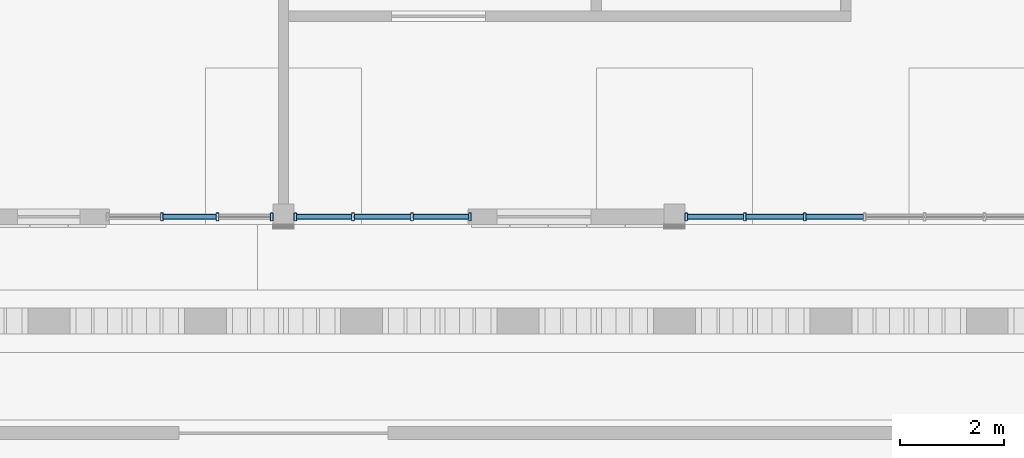
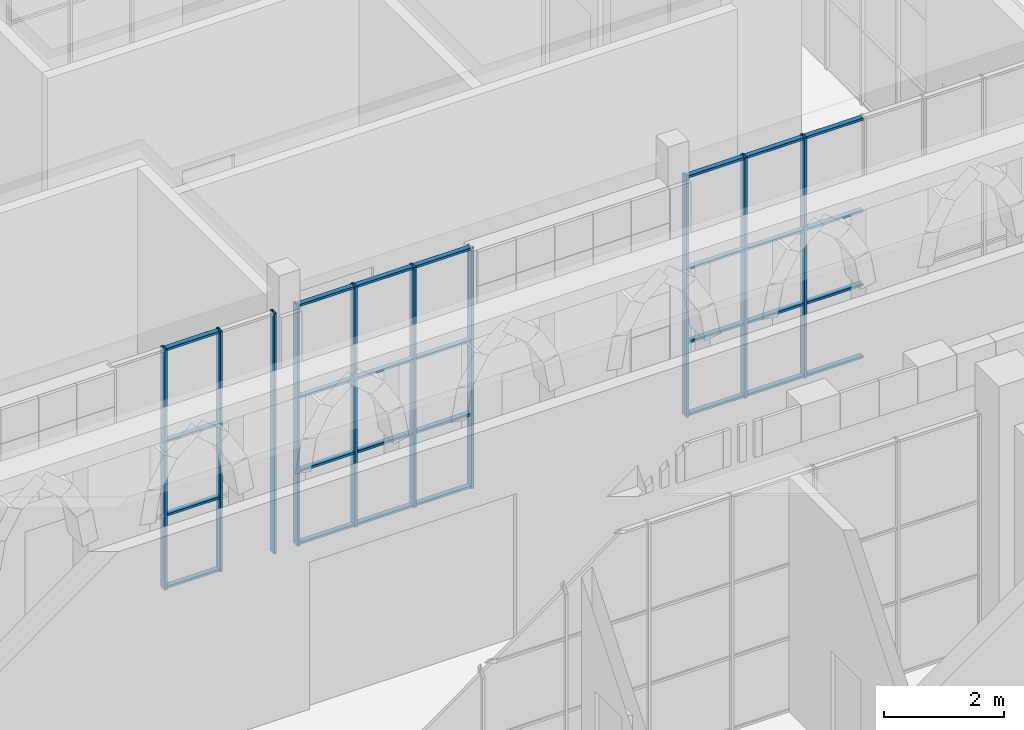
# One storey, part 20 of 125: 38 members, 3 elements without a shape of their own.
"""IFC4 building model written with IfcOpenShell, lengths in metres."""

from ifc_helpers import new_model, si_unit, direction, frame, origin, origin_2d, place, context, subcontext, project, spatial, hollow_rectangle, extrude, material, material_profile, profile_set, type_object, element, aggregate, save


model = new_model("IFC4")

# Units and contexts
model_context = context("Model", 3, precision=1e-05, world=origin(), true_north=direction((0.0, 1.0)))
body_context = subcontext(model_context, "Body", "Model", "MODEL_VIEW")
ifc_project = project(units=[si_unit("LENGTHUNIT", "METRE"), si_unit("AREAUNIT", "SQUARE_METRE"), si_unit("VOLUMEUNIT", "CUBIC_METRE"), si_unit("PLANEANGLEUNIT", "RADIAN"), si_unit("MASSUNIT", "GRAM", prefix="KILO")], contexts=[model_context])

# Site, building, storey
site_placement = place(None, origin())
site = spatial("IfcSite", under=ifc_project, at=site_placement, CompositionType="ELEMENT")
building_placement = place(site_placement, origin())
building = spatial("IfcBuilding", under=site, at=building_placement, Name="Sun Court Science Centre", CompositionType="ELEMENT")
storey_placement = place(building_placement, origin())
storey = spatial("IfcBuildingStorey", under=building, at=storey_placement, Name="L00", CompositionType="ELEMENT", Elevation=0.0)

# Curtain wall, members
ifc_material_1 = material(Name="Aluminium EN AW-6063 T6", Category="aluminium")
curtain_wall_type = type_object("IfcCurtainWallType", Name="Pavilion curtain wall 1200", PredefinedType="NOTDEFINED", material=ifc_material_1)
curtain_wall_1_placement = place(storey_placement, origin())
curtain_wall_1 = element("IfcCurtainWall", 1, at=curtain_wall_1_placement, inside=storey, type_object=curtain_wall_type, Name="Curtain wall V5 S L00 01", PredefinedType="NOTDEFINED")
ifc_material_2 = material(Name="Aluminium EN AW-6063 T6", Category="aluminium")
ifc_material_profile_1 = material_profile(ifc_material_2, hollow_rectangle(XDim=0.050048828125, YDim=0.14990234375, WallThickness=0.00390625, InnerFilletRadius=0.00390625, OuterFilletRadius=0.006103515625, at=origin_2d()), Name="AL 50x150x4")
ifc_profile_set_1 = profile_set([ifc_material_profile_1], Name="Aluminium EN AW-6063 T6")
member_type_1 = type_object("IfcMemberType", Name="Curtain wall mullion AL 50x150", PredefinedType="MULLION", material=ifc_profile_set_1)
member_1_placement = place(storey_placement, frame((58.72509765625, 36.14990234375, 0.0), z_axis=(0.0, 0.0, 1.0), x_axis=(-1.0, 0.0, 0.0)))
member_1 = element("IfcMember", 2, at=member_1_placement, type_object=member_type_1, Name="CW3-01 mullion 7", PredefinedType="MULLION", context=body_context, shape_type="SweptSolid", body=[
    extrude(hollow_rectangle(XDim=0.050048828125, YDim=0.14990234375, WallThickness=0.00390625, InnerFilletRadius=0.00390625, OuterFilletRadius=0.006103515625, at=origin_2d()), origin(), (0.0, 0.0, 1.0), 4.89990234375),
])
member_2_placement = place(storey_placement, frame((59.85009765625, 36.14990234375, 0.0), z_axis=(0.0, 0.0, 1.0), x_axis=(-1.0, 0.0, 0.0)))
member_2 = element("IfcMember", 3, at=member_2_placement, type_object=member_type_1, Name="CW3-01 mullion 6", PredefinedType="MULLION", context=body_context, shape_type="SweptSolid", body=[
    extrude(hollow_rectangle(XDim=0.050048828125, YDim=0.14990234375, WallThickness=0.00390625, InnerFilletRadius=0.00390625, OuterFilletRadius=0.006103515625, at=origin_2d()), origin(), (0.0, 0.0, 1.0), 4.89990234375),
])
member_3_placement = place(storey_placement, frame((61.0, 36.14990234375, 0.0), z_axis=(0.0, 0.0, 1.0), x_axis=(-1.0, 0.0, 0.0)))
member_3 = element("IfcMember", 4, at=member_3_placement, type_object=member_type_1, Name="CW3-01 mullion 5", PredefinedType="MULLION", context=body_context, shape_type="SweptSolid", body=[
    extrude(hollow_rectangle(XDim=0.050048828125, YDim=0.14990234375, WallThickness=0.00390625, InnerFilletRadius=0.00390625, OuterFilletRadius=0.006103515625, at=origin_2d()), origin(), (0.0, 0.0, 1.0), 4.89990234375),
])

curtain_wall_2_placement = place(storey_placement, origin())
curtain_wall_2 = element("IfcCurtainWall", 5, at=curtain_wall_2_placement, inside=storey, type_object=curtain_wall_type, Name="Curtain wall V5 S L00 02", PredefinedType="NOTDEFINED")
member_4_placement = place(storey_placement, frame((51.22509765625, 36.14990234375, 0.0), z_axis=(0.0, 0.0, 1.0), x_axis=(-1.0, 0.0, 0.0)))
member_4 = element("IfcMember", 6, at=member_4_placement, type_object=member_type_1, Name="CW3-02 mullion 4", PredefinedType="MULLION", context=body_context, shape_type="SweptSolid", body=[
    extrude(hollow_rectangle(XDim=0.050048828125, YDim=0.14990234375, WallThickness=0.00390625, InnerFilletRadius=0.00390625, OuterFilletRadius=0.006103515625, at=origin_2d()), origin(), (0.0, 0.0, 1.0), 4.89990234375),
])
member_5_placement = place(storey_placement, frame((52.333251953125, 36.14990234375, 0.0), z_axis=(0.0, 0.0, 1.0), x_axis=(-1.0, 0.0, 0.0)))
member_5 = element("IfcMember", 7, at=member_5_placement, type_object=member_type_1, Name="CW3-02 mullion 3", PredefinedType="MULLION", context=body_context, shape_type="SweptSolid", body=[
    extrude(hollow_rectangle(XDim=0.050048828125, YDim=0.14990234375, WallThickness=0.00390625, InnerFilletRadius=0.00390625, OuterFilletRadius=0.006103515625, at=origin_2d()), origin(), (0.0, 0.0, 1.0), 4.89990234375),
])
member_6_placement = place(storey_placement, frame((53.466552734375, 36.14990234375, 0.0), z_axis=(0.0, 0.0, 1.0), x_axis=(-1.0, 0.0, 0.0)))
member_6 = element("IfcMember", 8, at=member_6_placement, type_object=member_type_1, Name="CW3-02 mullion 2", PredefinedType="MULLION", context=body_context, shape_type="SweptSolid", body=[
    extrude(hollow_rectangle(XDim=0.050048828125, YDim=0.14990234375, WallThickness=0.00390625, InnerFilletRadius=0.00390625, OuterFilletRadius=0.006103515625, at=origin_2d()), origin(), (0.0, 0.0, 1.0), 4.89990234375),
])
member_7_placement = place(storey_placement, frame((54.574951171875, 36.14990234375, 0.0), z_axis=(0.0, 0.0, 1.0), x_axis=(-1.0, 0.0, 0.0)))
member_7 = element("IfcMember", 9, at=member_7_placement, type_object=member_type_1, Name="CW3-02 mullion 1", PredefinedType="MULLION", context=body_context, shape_type="SweptSolid", body=[
    extrude(hollow_rectangle(XDim=0.050048828125, YDim=0.14990234375, WallThickness=0.00390625, InnerFilletRadius=0.00390625, OuterFilletRadius=0.006103515625, at=origin_2d()), origin(), (0.0, 0.0, 1.0), 4.89990234375),
])

curtain_wall_3_placement = place(storey_placement, origin())
curtain_wall_3 = element("IfcCurtainWall", 10, at=curtain_wall_3_placement, inside=storey, type_object=curtain_wall_type, Name="Curtain wall V5 S L00 03", PredefinedType="NOTDEFINED")
member_8_placement = place(storey_placement, frame((48.666748046875, 36.14990234375, 0.0), z_axis=(0.0, 0.0, 1.0), x_axis=(-1.0, 0.0, 0.0)))
member_8 = element("IfcMember", 11, at=member_8_placement, type_object=member_type_1, Name="CW3-03 mullion 3", PredefinedType="MULLION", context=body_context, shape_type="SweptSolid", body=[
    extrude(hollow_rectangle(XDim=0.050048828125, YDim=0.14990234375, WallThickness=0.00390625, InnerFilletRadius=0.00390625, OuterFilletRadius=0.006103515625, at=origin_2d()), origin(), (0.0, 0.0, 1.0), 4.89990234375),
])
member_9_placement = place(storey_placement, frame((49.7333984375, 36.14990234375, 0.0), z_axis=(0.0, 0.0, 1.0), x_axis=(-1.0, 0.0, 0.0)))
member_9 = element("IfcMember", 12, at=member_9_placement, type_object=member_type_1, Name="CW3-03 mullion 2", PredefinedType="MULLION", context=body_context, shape_type="SweptSolid", body=[
    extrude(hollow_rectangle(XDim=0.050048828125, YDim=0.14990234375, WallThickness=0.00390625, InnerFilletRadius=0.00390625, OuterFilletRadius=0.006103515625, at=origin_2d()), origin(), (0.0, 0.0, 1.0), 4.89990234375),
])
member_10_placement = place(storey_placement, frame((50.77490234375, 36.14990234375, 0.0), z_axis=(0.0, 0.0, 1.0), x_axis=(-1.0, 0.0, 0.0)))
member_10 = element("IfcMember", 13, at=member_10_placement, type_object=member_type_1, Name="CW3-03 mullion 1", PredefinedType="MULLION", context=body_context, shape_type="SweptSolid", body=[
    extrude(hollow_rectangle(XDim=0.050048828125, YDim=0.14990234375, WallThickness=0.00390625, InnerFilletRadius=0.00390625, OuterFilletRadius=0.006103515625, at=origin_2d()), origin(), (0.0, 0.0, 1.0), 4.89990234375),
])

# Member
ifc_material_3 = material(Name="Aluminium EN AW-6063 T6", Category="aluminium")
ifc_material_profile_2 = material_profile(ifc_material_3, hollow_rectangle(XDim=0.050048828125, YDim=0.10009765625, WallThickness=0.00390625, InnerFilletRadius=0.00390625, OuterFilletRadius=0.006103515625, at=origin_2d()), Name="AL 50x100x4")
ifc_profile_set_2 = profile_set([ifc_material_profile_2], Name="Aluminium EN AW-6063 T6")
member_type_2 = type_object("IfcMemberType", Name="Curtain wall transom AL 50x100", PredefinedType="USERDEFINED", material=ifc_profile_set_2)
member_11_placement = place(storey_placement, frame((59.824951171875, 36.14990234375, 0.02490234375), z_axis=(-1.0, 0.0, 0.0), x_axis=(0.0, 0.0, 1.0)))
member_11 = element("IfcMember", 14, at=member_11_placement, type_object=member_type_2, Name="CW3-01 transom 6.1", ObjectType="TRANSOM", PredefinedType="USERDEFINED", context=body_context, shape_type="SweptSolid", body=[
    extrude(hollow_rectangle(XDim=0.050048828125, YDim=0.10009765625, WallThickness=0.00390625, InnerFilletRadius=0.00390625, OuterFilletRadius=0.006103515625, at=origin_2d()), origin(), (0.0, 0.0, 1.0), 1.074951171875),
])

member_12_placement = place(storey_placement, frame((60.97509765625, 36.14990234375, 0.02490234375), z_axis=(-1.0, 0.0, 0.0), x_axis=(0.0, 0.0, 1.0)))
member_12 = element("IfcMember", 15, at=member_12_placement, type_object=member_type_2, Name="CW3-01 transom 5.1", ObjectType="TRANSOM", PredefinedType="USERDEFINED", context=body_context, shape_type="SweptSolid", body=[
    extrude(hollow_rectangle(XDim=0.050048828125, YDim=0.10009765625, WallThickness=0.00390625, InnerFilletRadius=0.00390625, OuterFilletRadius=0.006103515625, at=origin_2d()), origin(), (0.0, 0.0, 1.0), 1.10009765625),
])

member_13_placement = place(storey_placement, frame((62.125, 36.14990234375, 0.02490234375), z_axis=(-1.0, 0.0, 0.0), x_axis=(0.0, 0.0, 1.0)))
member_13 = element("IfcMember", 16, at=member_13_placement, type_object=member_type_2, Name="CW3-01 transom 4.1", ObjectType="TRANSOM", PredefinedType="USERDEFINED", context=body_context, shape_type="SweptSolid", body=[
    extrude(hollow_rectangle(XDim=0.050048828125, YDim=0.10009765625, WallThickness=0.00390625, InnerFilletRadius=0.00390625, OuterFilletRadius=0.006103515625, at=origin_2d()), origin(), (0.0, 0.0, 1.0), 1.10009765625),
])

member_14_placement = place(storey_placement, frame((59.824951171875, 36.14990234375, 1.5), z_axis=(-1.0, 0.0, 0.0), x_axis=(0.0, 0.0, 1.0)))
member_14 = element("IfcMember", 17, at=member_14_placement, type_object=member_type_2, Name="CW3-01 transom 6.2", ObjectType="TRANSOM", PredefinedType="USERDEFINED", context=body_context, shape_type="SweptSolid", body=[
    extrude(hollow_rectangle(XDim=0.050048828125, YDim=0.10009765625, WallThickness=0.00390625, InnerFilletRadius=0.00390625, OuterFilletRadius=0.006103515625, at=origin_2d()), origin(), (0.0, 0.0, 1.0), 1.074951171875),
])

member_15_placement = place(storey_placement, frame((60.97509765625, 36.14990234375, 1.5), z_axis=(-1.0, 0.0, 0.0), x_axis=(0.0, 0.0, 1.0)))
member_15 = element("IfcMember", 18, at=member_15_placement, type_object=member_type_2, Name="CW3-01 transom 5.2", ObjectType="TRANSOM", PredefinedType="USERDEFINED", context=body_context, shape_type="SweptSolid", body=[
    extrude(hollow_rectangle(XDim=0.050048828125, YDim=0.10009765625, WallThickness=0.00390625, InnerFilletRadius=0.00390625, OuterFilletRadius=0.006103515625, at=origin_2d()), origin(), (0.0, 0.0, 1.0), 1.10009765625),
])

member_16_placement = place(storey_placement, frame((62.125, 36.14990234375, 1.5), z_axis=(-1.0, 0.0, 0.0), x_axis=(0.0, 0.0, 1.0)))
member_16 = element("IfcMember", 19, at=member_16_placement, type_object=member_type_2, Name="CW3-01 transom 4.2", ObjectType="TRANSOM", PredefinedType="USERDEFINED", context=body_context, shape_type="SweptSolid", body=[
    extrude(hollow_rectangle(XDim=0.050048828125, YDim=0.10009765625, WallThickness=0.00390625, InnerFilletRadius=0.00390625, OuterFilletRadius=0.006103515625, at=origin_2d()), origin(), (0.0, 0.0, 1.0), 1.10009765625),
])

member_17_placement = place(storey_placement, frame((59.824951171875, 36.14990234375, 3.0), z_axis=(-1.0, 0.0, 0.0), x_axis=(0.0, 0.0, 1.0)))
member_17 = element("IfcMember", 20, at=member_17_placement, type_object=member_type_2, Name="CW3-01 transom 6.3", ObjectType="TRANSOM", PredefinedType="USERDEFINED", context=body_context, shape_type="SweptSolid", body=[
    extrude(hollow_rectangle(XDim=0.050048828125, YDim=0.10009765625, WallThickness=0.00390625, InnerFilletRadius=0.00390625, OuterFilletRadius=0.006103515625, at=origin_2d()), origin(), (0.0, 0.0, 1.0), 1.074951171875),
])

member_18_placement = place(storey_placement, frame((60.97509765625, 36.14990234375, 3.0), z_axis=(-1.0, 0.0, 0.0), x_axis=(0.0, 0.0, 1.0)))
member_18 = element("IfcMember", 21, at=member_18_placement, type_object=member_type_2, Name="CW3-01 transom 5.3", ObjectType="TRANSOM", PredefinedType="USERDEFINED", context=body_context, shape_type="SweptSolid", body=[
    extrude(hollow_rectangle(XDim=0.050048828125, YDim=0.10009765625, WallThickness=0.00390625, InnerFilletRadius=0.00390625, OuterFilletRadius=0.006103515625, at=origin_2d()), origin(), (0.0, 0.0, 1.0), 1.10009765625),
])

member_19_placement = place(storey_placement, frame((62.125, 36.14990234375, 3.0), z_axis=(-1.0, 0.0, 0.0), x_axis=(0.0, 0.0, 1.0)))
member_19 = element("IfcMember", 22, at=member_19_placement, type_object=member_type_2, Name="CW3-01 transom 4.3", ObjectType="TRANSOM", PredefinedType="USERDEFINED", context=body_context, shape_type="SweptSolid", body=[
    extrude(hollow_rectangle(XDim=0.050048828125, YDim=0.10009765625, WallThickness=0.00390625, InnerFilletRadius=0.00390625, OuterFilletRadius=0.006103515625, at=origin_2d()), origin(), (0.0, 0.0, 1.0), 1.10009765625),
])

member_20_placement = place(storey_placement, frame((59.824951171875, 36.14990234375, 4.875), z_axis=(-1.0, 0.0, 0.0), x_axis=(0.0, 0.0, 1.0)))
member_20 = element("IfcMember", 23, at=member_20_placement, type_object=member_type_2, Name="CW3-01 transom 6.4", ObjectType="TRANSOM", PredefinedType="USERDEFINED", context=body_context, shape_type="SweptSolid", body=[
    extrude(hollow_rectangle(XDim=0.050048828125, YDim=0.10009765625, WallThickness=0.00390625, InnerFilletRadius=0.00390625, OuterFilletRadius=0.006103515625, at=origin_2d()), origin(), (0.0, 0.0, 1.0), 1.074951171875),
])

member_21_placement = place(storey_placement, frame((60.97509765625, 36.14990234375, 4.875), z_axis=(-1.0, 0.0, 0.0), x_axis=(0.0, 0.0, 1.0)))
member_21 = element("IfcMember", 24, at=member_21_placement, type_object=member_type_2, Name="CW3-01 transom 5.4", ObjectType="TRANSOM", PredefinedType="USERDEFINED", context=body_context, shape_type="SweptSolid", body=[
    extrude(hollow_rectangle(XDim=0.050048828125, YDim=0.10009765625, WallThickness=0.00390625, InnerFilletRadius=0.00390625, OuterFilletRadius=0.006103515625, at=origin_2d()), origin(), (0.0, 0.0, 1.0), 1.10009765625),
])

member_22_placement = place(storey_placement, frame((62.125, 36.14990234375, 4.875), z_axis=(-1.0, 0.0, 0.0), x_axis=(0.0, 0.0, 1.0)))
member_22 = element("IfcMember", 25, at=member_22_placement, type_object=member_type_2, Name="CW3-01 transom 4.4", ObjectType="TRANSOM", PredefinedType="USERDEFINED", context=body_context, shape_type="SweptSolid", body=[
    extrude(hollow_rectangle(XDim=0.050048828125, YDim=0.10009765625, WallThickness=0.00390625, InnerFilletRadius=0.00390625, OuterFilletRadius=0.006103515625, at=origin_2d()), origin(), (0.0, 0.0, 1.0), 1.10009765625),
])

aggregate(curtain_wall_1, [member_1, member_2, member_3, member_11, member_12, member_13, member_14, member_15, member_16, member_17, member_18, member_19, member_20, member_21, member_22])

member_23_placement = place(storey_placement, frame((52.308349609375, 36.14990234375, 0.02490234375), z_axis=(-1.0, 0.0, 0.0), x_axis=(0.0, 0.0, 1.0)))
member_23 = element("IfcMember", 26, at=member_23_placement, type_object=member_type_2, Name="CW3-02 transom 3.1", ObjectType="TRANSOM", PredefinedType="USERDEFINED", context=body_context, shape_type="SweptSolid", body=[
    extrude(hollow_rectangle(XDim=0.050048828125, YDim=0.10009765625, WallThickness=0.00390625, InnerFilletRadius=0.00390625, OuterFilletRadius=0.006103515625, at=origin_2d()), origin(), (0.0, 0.0, 1.0), 1.058349609375),
])

member_24_placement = place(storey_placement, frame((53.441650390625, 36.14990234375, 0.02490234375), z_axis=(-1.0, 0.0, 0.0), x_axis=(0.0, 0.0, 1.0)))
member_24 = element("IfcMember", 27, at=member_24_placement, type_object=member_type_2, Name="CW3-02 transom 2.1", ObjectType="TRANSOM", PredefinedType="USERDEFINED", context=body_context, shape_type="SweptSolid", body=[
    extrude(hollow_rectangle(XDim=0.050048828125, YDim=0.10009765625, WallThickness=0.00390625, InnerFilletRadius=0.00390625, OuterFilletRadius=0.006103515625, at=origin_2d()), origin(), (0.0, 0.0, 1.0), 1.083251953125),
])

member_25_placement = place(storey_placement, frame((54.550048828125, 36.14990234375, 0.02490234375), z_axis=(-1.0, 0.0, 0.0), x_axis=(0.0, 0.0, 1.0)))
member_25 = element("IfcMember", 28, at=member_25_placement, type_object=member_type_2, Name="CW3-02 transom 1.1", ObjectType="TRANSOM", PredefinedType="USERDEFINED", context=body_context, shape_type="SweptSolid", body=[
    extrude(hollow_rectangle(XDim=0.050048828125, YDim=0.10009765625, WallThickness=0.00390625, InnerFilletRadius=0.00390625, OuterFilletRadius=0.006103515625, at=origin_2d()), origin(), (0.0, 0.0, 1.0), 1.058349609375),
])

member_26_placement = place(storey_placement, frame((52.308349609375, 36.14990234375, 1.5), z_axis=(-1.0, 0.0, 0.0), x_axis=(0.0, 0.0, 1.0)))
member_26 = element("IfcMember", 29, at=member_26_placement, type_object=member_type_2, Name="CW3-02 transom 3.2", ObjectType="TRANSOM", PredefinedType="USERDEFINED", context=body_context, shape_type="SweptSolid", body=[
    extrude(hollow_rectangle(XDim=0.050048828125, YDim=0.10009765625, WallThickness=0.00390625, InnerFilletRadius=0.00390625, OuterFilletRadius=0.006103515625, at=origin_2d()), origin(), (0.0, 0.0, 1.0), 1.058349609375),
])

member_27_placement = place(storey_placement, frame((53.441650390625, 36.14990234375, 1.5), z_axis=(-1.0, 0.0, 0.0), x_axis=(0.0, 0.0, 1.0)))
member_27 = element("IfcMember", 30, at=member_27_placement, type_object=member_type_2, Name="CW3-02 transom 2.2", ObjectType="TRANSOM", PredefinedType="USERDEFINED", context=body_context, shape_type="SweptSolid", body=[
    extrude(hollow_rectangle(XDim=0.050048828125, YDim=0.10009765625, WallThickness=0.00390625, InnerFilletRadius=0.00390625, OuterFilletRadius=0.006103515625, at=origin_2d()), origin(), (0.0, 0.0, 1.0), 1.083251953125),
])

member_28_placement = place(storey_placement, frame((54.550048828125, 36.14990234375, 1.5), z_axis=(-1.0, 0.0, 0.0), x_axis=(0.0, 0.0, 1.0)))
member_28 = element("IfcMember", 31, at=member_28_placement, type_object=member_type_2, Name="CW3-02 transom 1.2", ObjectType="TRANSOM", PredefinedType="USERDEFINED", context=body_context, shape_type="SweptSolid", body=[
    extrude(hollow_rectangle(XDim=0.050048828125, YDim=0.10009765625, WallThickness=0.00390625, InnerFilletRadius=0.00390625, OuterFilletRadius=0.006103515625, at=origin_2d()), origin(), (0.0, 0.0, 1.0), 1.058349609375),
])

member_29_placement = place(storey_placement, frame((52.308349609375, 36.14990234375, 3.0), z_axis=(-1.0, 0.0, 0.0), x_axis=(0.0, 0.0, 1.0)))
member_29 = element("IfcMember", 32, at=member_29_placement, type_object=member_type_2, Name="CW3-02 transom 3.3", ObjectType="TRANSOM", PredefinedType="USERDEFINED", context=body_context, shape_type="SweptSolid", body=[
    extrude(hollow_rectangle(XDim=0.050048828125, YDim=0.10009765625, WallThickness=0.00390625, InnerFilletRadius=0.00390625, OuterFilletRadius=0.006103515625, at=origin_2d()), origin(), (0.0, 0.0, 1.0), 1.058349609375),
])

member_30_placement = place(storey_placement, frame((53.441650390625, 36.14990234375, 3.0), z_axis=(-1.0, 0.0, 0.0), x_axis=(0.0, 0.0, 1.0)))
member_30 = element("IfcMember", 33, at=member_30_placement, type_object=member_type_2, Name="CW3-02 transom 2.3", ObjectType="TRANSOM", PredefinedType="USERDEFINED", context=body_context, shape_type="SweptSolid", body=[
    extrude(hollow_rectangle(XDim=0.050048828125, YDim=0.10009765625, WallThickness=0.00390625, InnerFilletRadius=0.00390625, OuterFilletRadius=0.006103515625, at=origin_2d()), origin(), (0.0, 0.0, 1.0), 1.083251953125),
])

member_31_placement = place(storey_placement, frame((54.550048828125, 36.14990234375, 3.0), z_axis=(-1.0, 0.0, 0.0), x_axis=(0.0, 0.0, 1.0)))
member_31 = element("IfcMember", 34, at=member_31_placement, type_object=member_type_2, Name="CW3-02 transom 1.3", ObjectType="TRANSOM", PredefinedType="USERDEFINED", context=body_context, shape_type="SweptSolid", body=[
    extrude(hollow_rectangle(XDim=0.050048828125, YDim=0.10009765625, WallThickness=0.00390625, InnerFilletRadius=0.00390625, OuterFilletRadius=0.006103515625, at=origin_2d()), origin(), (0.0, 0.0, 1.0), 1.058349609375),
])

member_32_placement = place(storey_placement, frame((52.308349609375, 36.14990234375, 4.875), z_axis=(-1.0, 0.0, 0.0), x_axis=(0.0, 0.0, 1.0)))
member_32 = element("IfcMember", 35, at=member_32_placement, type_object=member_type_2, Name="CW3-02 transom 3.4", ObjectType="TRANSOM", PredefinedType="USERDEFINED", context=body_context, shape_type="SweptSolid", body=[
    extrude(hollow_rectangle(XDim=0.050048828125, YDim=0.10009765625, WallThickness=0.00390625, InnerFilletRadius=0.00390625, OuterFilletRadius=0.006103515625, at=origin_2d()), origin(), (0.0, 0.0, 1.0), 1.058349609375),
])

member_33_placement = place(storey_placement, frame((53.441650390625, 36.14990234375, 4.875), z_axis=(-1.0, 0.0, 0.0), x_axis=(0.0, 0.0, 1.0)))
member_33 = element("IfcMember", 36, at=member_33_placement, type_object=member_type_2, Name="CW3-02 transom 2.4", ObjectType="TRANSOM", PredefinedType="USERDEFINED", context=body_context, shape_type="SweptSolid", body=[
    extrude(hollow_rectangle(XDim=0.050048828125, YDim=0.10009765625, WallThickness=0.00390625, InnerFilletRadius=0.00390625, OuterFilletRadius=0.006103515625, at=origin_2d()), origin(), (0.0, 0.0, 1.0), 1.083251953125),
])

member_34_placement = place(storey_placement, frame((54.550048828125, 36.14990234375, 4.875), z_axis=(-1.0, 0.0, 0.0), x_axis=(0.0, 0.0, 1.0)))
member_34 = element("IfcMember", 37, at=member_34_placement, type_object=member_type_2, Name="CW3-02 transom 1.4", ObjectType="TRANSOM", PredefinedType="USERDEFINED", context=body_context, shape_type="SweptSolid", body=[
    extrude(hollow_rectangle(XDim=0.050048828125, YDim=0.10009765625, WallThickness=0.00390625, InnerFilletRadius=0.00390625, OuterFilletRadius=0.006103515625, at=origin_2d()), origin(), (0.0, 0.0, 1.0), 1.058349609375),
])

aggregate(curtain_wall_2, [member_4, member_5, member_6, member_7, member_23, member_24, member_25, member_26, member_27, member_28, member_29, member_30, member_31, member_32, member_33, member_34])

member_35_placement = place(storey_placement, frame((49.708251953125, 36.14990234375, 0.02490234375), z_axis=(-1.0, 0.0, 0.0), x_axis=(0.0, 0.0, 1.0)))
member_35 = element("IfcMember", 38, at=member_35_placement, type_object=member_type_2, Name="CW3-03 transom 2.1", ObjectType="TRANSOM", PredefinedType="USERDEFINED", context=body_context, shape_type="SweptSolid", body=[
    extrude(hollow_rectangle(XDim=0.050048828125, YDim=0.10009765625, WallThickness=0.00390625, InnerFilletRadius=0.00390625, OuterFilletRadius=0.006103515625, at=origin_2d()), origin(), (0.0, 0.0, 1.0), 1.0166015625),
])

member_36_placement = place(storey_placement, frame((49.708251953125, 36.14990234375, 1.5), z_axis=(-1.0, 0.0, 0.0), x_axis=(0.0, 0.0, 1.0)))
member_36 = element("IfcMember", 39, at=member_36_placement, type_object=member_type_2, Name="CW3-03 transom 2.2", ObjectType="TRANSOM", PredefinedType="USERDEFINED", context=body_context, shape_type="SweptSolid", body=[
    extrude(hollow_rectangle(XDim=0.050048828125, YDim=0.10009765625, WallThickness=0.00390625, InnerFilletRadius=0.00390625, OuterFilletRadius=0.006103515625, at=origin_2d()), origin(), (0.0, 0.0, 1.0), 1.0166015625),
])

member_37_placement = place(storey_placement, frame((49.708251953125, 36.14990234375, 3.0), z_axis=(-1.0, 0.0, 0.0), x_axis=(0.0, 0.0, 1.0)))
member_37 = element("IfcMember", 40, at=member_37_placement, type_object=member_type_2, Name="CW3-03 transom 2.3", ObjectType="TRANSOM", PredefinedType="USERDEFINED", context=body_context, shape_type="SweptSolid", body=[
    extrude(hollow_rectangle(XDim=0.050048828125, YDim=0.10009765625, WallThickness=0.00390625, InnerFilletRadius=0.00390625, OuterFilletRadius=0.006103515625, at=origin_2d()), origin(), (0.0, 0.0, 1.0), 1.0166015625),
])

member_38_placement = place(storey_placement, frame((49.708251953125, 36.14990234375, 4.875), z_axis=(-1.0, 0.0, 0.0), x_axis=(0.0, 0.0, 1.0)))
member_38 = element("IfcMember", 41, at=member_38_placement, type_object=member_type_2, Name="CW3-03 transom 2.4", ObjectType="TRANSOM", PredefinedType="USERDEFINED", context=body_context, shape_type="SweptSolid", body=[
    extrude(hollow_rectangle(XDim=0.050048828125, YDim=0.10009765625, WallThickness=0.00390625, InnerFilletRadius=0.00390625, OuterFilletRadius=0.006103515625, at=origin_2d()), origin(), (0.0, 0.0, 1.0), 1.0166015625),
])

aggregate(curtain_wall_3, [member_8, member_9, member_10, member_35, member_36, member_37, member_38])

save(model, "model.ifc")
